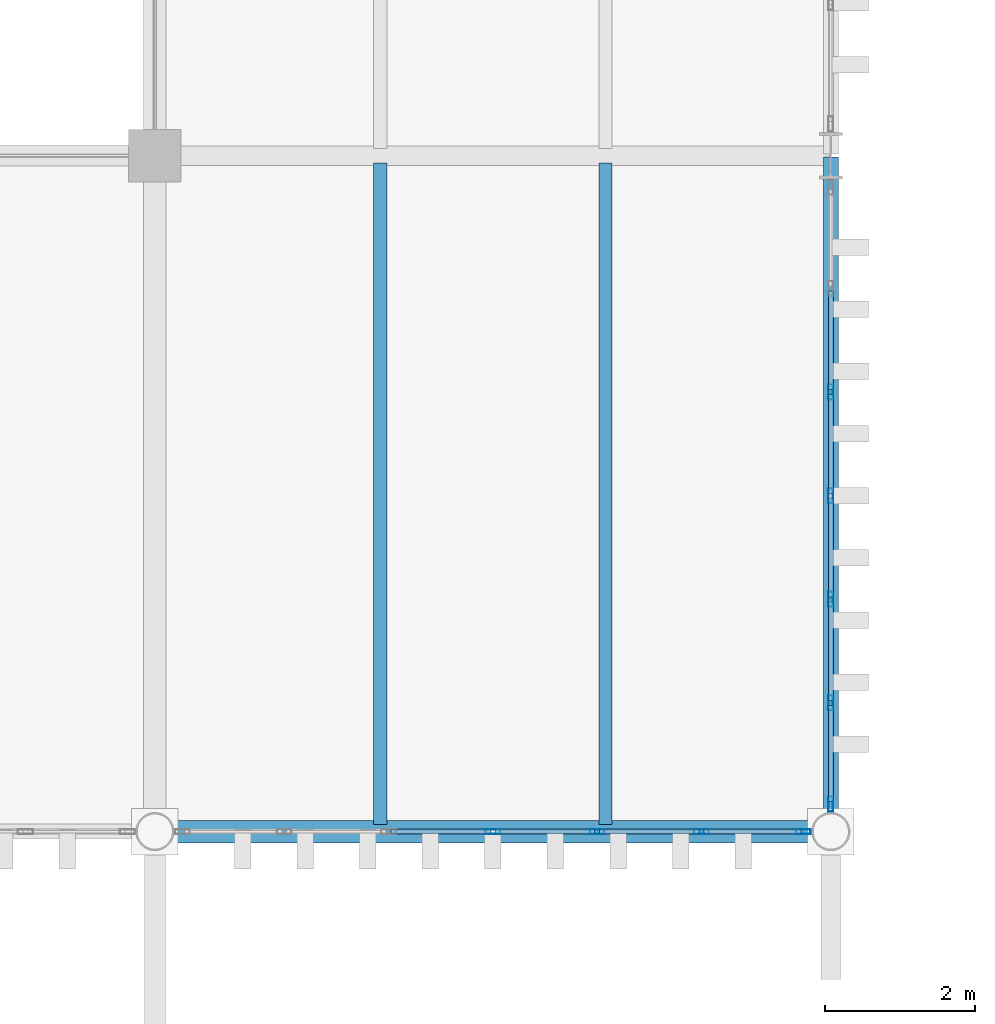
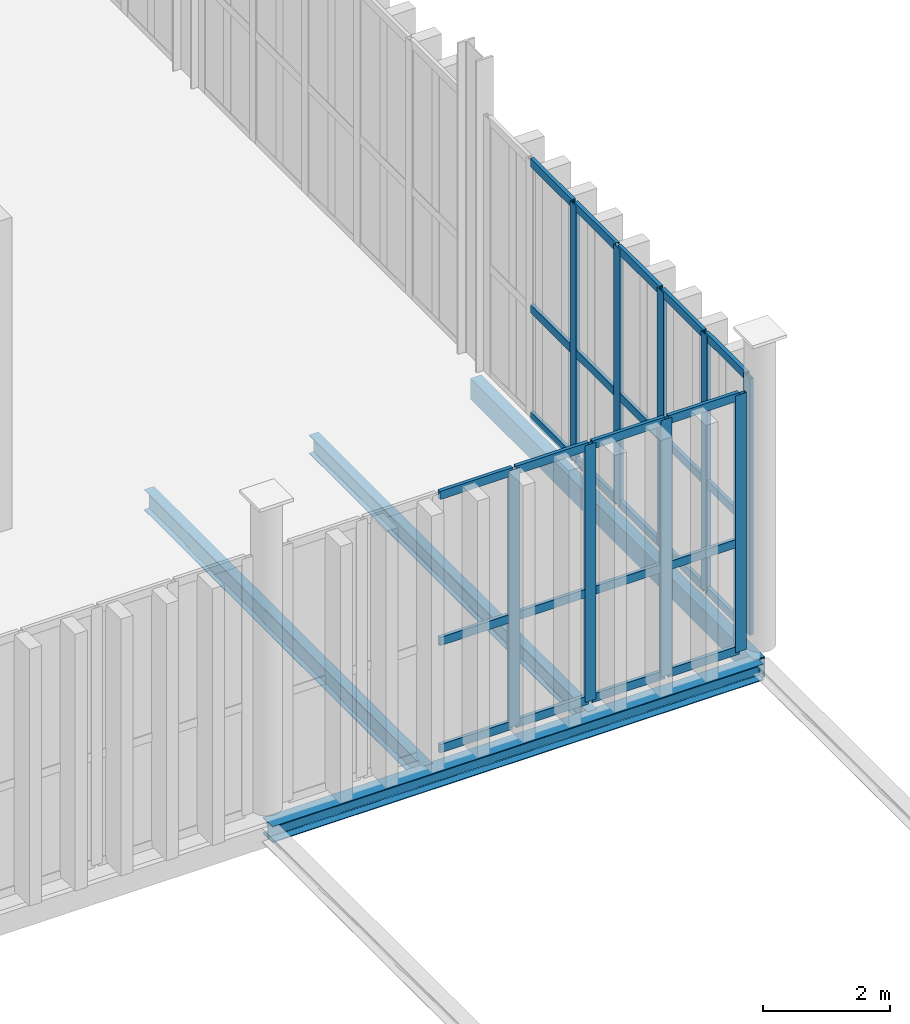
# One storey, part 41 of 211: 36 members, 4 beams, 2 elements without a shape of their own.
"""IFC4 building model written with IfcOpenShell, lengths in metres."""

from ifc_helpers import new_model, si_unit, direction, frame, origin, origin_2d, place, context, subcontext, project, spatial, hollow_rectangle, i_section, extrude, material, layer, layer_set, material_profile, profile_set, type_object, element, aggregate, save


model = new_model("IFC4")

# Units and contexts
model_context = context("Model", 3, precision=1e-05, world=origin(), true_north=direction((0.0, 1.0)))
body_context = subcontext(model_context, "Body", "Model", "MODEL_VIEW")
ifc_project = project(units=[si_unit("LENGTHUNIT", "METRE"), si_unit("AREAUNIT", "SQUARE_METRE"), si_unit("VOLUMEUNIT", "CUBIC_METRE"), si_unit("PLANEANGLEUNIT", "RADIAN"), si_unit("MASSUNIT", "GRAM", prefix="KILO")], contexts=[model_context])

# Site, building, storey
site_placement = place(None, origin())
site = spatial("IfcSite", under=ifc_project, at=site_placement, CompositionType="ELEMENT")
building_placement = place(site_placement, origin())
building = spatial("IfcBuilding", under=site, at=building_placement, Name="Barlavento Convention Centre", CompositionType="ELEMENT")
storey_placement = place(building_placement, frame((0.0, 0.0, 6.0)))
storey = spatial("IfcBuildingStorey", under=building, at=storey_placement, Name="L01", CompositionType="ELEMENT", Elevation=6.0)

# Curtain wall, members
ifc_material_1 = material(Name="Powder-coated aluminium and Low-E glass", Category="aluminium")
ifc_layer = layer(ifc_material_1, 0.18505859375)
ifc_layer_set = layer_set([ifc_layer], Name="ARC-CW-CONG-L01")
curtain_wall_type = type_object("IfcCurtainWallType", Name="ARC-CW-CONG-L01", PredefinedType="NOTDEFINED", material=ifc_layer_set)
curtain_wall_1_placement = place(storey_placement, origin())
curtain_wall_1 = element("IfcCurtainWall", 1, at=curtain_wall_1_placement, inside=storey, type_object=curtain_wall_type, Name="L01 unitised curtain wall CW01", PredefinedType="NOTDEFINED")
ifc_material_2 = material(Name="Powder-coated aluminium", Category="aluminium")
ifc_material_profile_1 = material_profile(ifc_material_2, hollow_rectangle(XDim=0.06494140625, YDim=0.199951171875, WallThickness=0.0048828125, at=origin_2d()), Name="AL-MULL 65x200x5")
ifc_profile_set_1 = profile_set([ifc_material_profile_1], Name="Powder-coated aluminium")
member_type_1 = type_object("IfcMemberType", Name="ARC-CWM-65X200", PredefinedType="MULLION", material=ifc_profile_set_1)
member_1_placement = place(storey_placement, frame((58.5, 9.0, 0.0), z_axis=(0.0, 0.0, 1.0), x_axis=(0.0, 1.0, 0.0)))
member_1 = element("IfcMember", 2, at=member_1_placement, type_object=member_type_1, Name="CW01 mullion 4", PredefinedType="MULLION", context=body_context, shape_type="SweptSolid", body=[
    extrude(hollow_rectangle(XDim=0.06494140625, YDim=0.199951171875, WallThickness=0.0048828125, at=origin_2d()), origin(), (0.0, 0.0, 1.0), 4.949951171875),
])
member_2_placement = place(storey_placement, frame((59.888671875, 9.0, 0.0), z_axis=(0.0, 0.0, 1.0), x_axis=(0.0, 1.0, 0.0)))
member_2 = element("IfcMember", 3, at=member_2_placement, type_object=member_type_1, Name="CW01 mullion 5", PredefinedType="MULLION", context=body_context, shape_type="SweptSolid", body=[
    extrude(hollow_rectangle(XDim=0.06494140625, YDim=0.199951171875, WallThickness=0.0048828125, at=origin_2d()), origin(), (0.0, 0.0, 1.0), 4.949951171875),
])
member_3_placement = place(storey_placement, frame((61.27734375, 9.0, 0.0), z_axis=(0.0, 0.0, 1.0), x_axis=(0.0, 1.0, 0.0)))
member_3 = element("IfcMember", 4, at=member_3_placement, type_object=member_type_1, Name="CW01 mullion 6", PredefinedType="MULLION", context=body_context, shape_type="SweptSolid", body=[
    extrude(hollow_rectangle(XDim=0.06494140625, YDim=0.199951171875, WallThickness=0.0048828125, at=origin_2d()), origin(), (0.0, 0.0, 1.0), 4.949951171875),
])
member_4_placement = place(storey_placement, frame((62.633544921875, 9.0, 0.0), z_axis=(0.0, 0.0, 1.0), x_axis=(0.0, 1.0, 0.0)))
member_4 = element("IfcMember", 5, at=member_4_placement, type_object=member_type_1, Name="CW01 mullion 7", PredefinedType="MULLION", context=body_context, shape_type="SweptSolid", body=[
    extrude(hollow_rectangle(XDim=0.06494140625, YDim=0.199951171875, WallThickness=0.0048828125, at=origin_2d()), origin(), (0.0, 0.0, 1.0), 4.949951171875),
])

curtain_wall_2_placement = place(storey_placement, origin())
curtain_wall_2 = element("IfcCurtainWall", 6, at=curtain_wall_2_placement, inside=storey, type_object=curtain_wall_type, Name="L01 unitised curtain wall CW01", PredefinedType="NOTDEFINED")
member_5_placement = place(storey_placement, frame((63.0, 9.366455078125, 0.0), z_axis=(0.0, 0.0, 1.0), x_axis=(-1.0, 0.0, 0.0)))
member_5 = element("IfcMember", 7, at=member_5_placement, type_object=member_type_1, Name="CW01 mullion 1", PredefinedType="MULLION", context=body_context, shape_type="SweptSolid", body=[
    extrude(hollow_rectangle(XDim=0.06494140625, YDim=0.199951171875, WallThickness=0.0048828125, at=origin_2d()), origin(), (0.0, 0.0, 1.0), 4.949951171875),
])
member_6_placement = place(storey_placement, frame((63.0, 10.71337890625, 0.0), z_axis=(0.0, 0.0, 1.0), x_axis=(-1.0, 0.0, 0.0)))
member_6 = element("IfcMember", 8, at=member_6_placement, type_object=member_type_1, Name="CW01 mullion 2", PredefinedType="MULLION", context=body_context, shape_type="SweptSolid", body=[
    extrude(hollow_rectangle(XDim=0.06494140625, YDim=0.199951171875, WallThickness=0.0048828125, at=origin_2d()), origin(), (0.0, 0.0, 1.0), 4.949951171875),
])
member_7_placement = place(storey_placement, frame((63.0, 12.0927734375, 0.0), z_axis=(0.0, 0.0, 1.0), x_axis=(-1.0, 0.0, 0.0)))
member_7 = element("IfcMember", 9, at=member_7_placement, type_object=member_type_1, Name="CW01 mullion 3", PredefinedType="MULLION", context=body_context, shape_type="SweptSolid", body=[
    extrude(hollow_rectangle(XDim=0.06494140625, YDim=0.199951171875, WallThickness=0.0048828125, at=origin_2d()), origin(), (0.0, 0.0, 1.0), 4.949951171875),
])
member_8_placement = place(storey_placement, frame((63.0, 13.471923828125, 0.0), z_axis=(0.0, 0.0, 1.0), x_axis=(-1.0, 0.0, 0.0)))
member_8 = element("IfcMember", 10, at=member_8_placement, type_object=member_type_1, Name="CW01 mullion 4", PredefinedType="MULLION", context=body_context, shape_type="SweptSolid", body=[
    extrude(hollow_rectangle(XDim=0.06494140625, YDim=0.199951171875, WallThickness=0.0048828125, at=origin_2d()), origin(), (0.0, 0.0, 1.0), 4.949951171875),
])
member_9_placement = place(storey_placement, frame((63.0, 14.851318359375, 0.0), z_axis=(0.0, 0.0, 1.0), x_axis=(-1.0, 0.0, 0.0)))
member_9 = element("IfcMember", 11, at=member_9_placement, type_object=member_type_1, Name="CW01 mullion 5", PredefinedType="MULLION", context=body_context, shape_type="SweptSolid", body=[
    extrude(hollow_rectangle(XDim=0.06494140625, YDim=0.199951171875, WallThickness=0.0048828125, at=origin_2d()), origin(), (0.0, 0.0, 1.0), 4.949951171875),
])

# Member
ifc_material_profile_2 = material_profile(ifc_material_2, hollow_rectangle(XDim=0.06494140625, YDim=0.159912109375, WallThickness=0.0048828125, at=origin_2d()), Name="AL-TRAN 65x160x5")
ifc_profile_set_2 = profile_set([ifc_material_profile_2], Name="Powder-coated aluminium")
member_type_2 = type_object("IfcMemberType", Name="ARC-CWT-65X160", PredefinedType="USERDEFINED", material=ifc_profile_set_2)
member_10_placement = place(storey_placement, frame((57.143798828125, 9.0, 0.032470703125), z_axis=(1.0, 0.0, 0.0), x_axis=(0.0, 1.0, 0.0)))
member_10 = element("IfcMember", 12, at=member_10_placement, type_object=member_type_2, Name="CW01 transom 3.1", ObjectType="TRANSOM", PredefinedType="USERDEFINED", context=body_context, shape_type="SweptSolid", body=[
    extrude(hollow_rectangle(XDim=0.06494140625, YDim=0.159912109375, WallThickness=0.0048828125, at=origin_2d()), origin(), (0.0, 0.0, 1.0), 1.32373046875),
])

member_11_placement = place(storey_placement, frame((57.143798828125, 9.0, 2.10009765625), z_axis=(1.0, 0.0, 0.0), x_axis=(0.0, 1.0, 0.0)))
member_11 = element("IfcMember", 13, at=member_11_placement, type_object=member_type_2, Name="CW01 transom 3.2", ObjectType="TRANSOM", PredefinedType="USERDEFINED", context=body_context, shape_type="SweptSolid", body=[
    extrude(hollow_rectangle(XDim=0.06494140625, YDim=0.159912109375, WallThickness=0.0048828125, at=origin_2d()), origin(), (0.0, 0.0, 1.0), 1.32373046875),
])

member_12_placement = place(storey_placement, frame((57.143798828125, 9.0, 4.91748046875), z_axis=(1.0, 0.0, 0.0), x_axis=(0.0, 1.0, 0.0)))
member_12 = element("IfcMember", 14, at=member_12_placement, type_object=member_type_2, Name="CW01 transom 3.3", ObjectType="TRANSOM", PredefinedType="USERDEFINED", context=body_context, shape_type="SweptSolid", body=[
    extrude(hollow_rectangle(XDim=0.06494140625, YDim=0.159912109375, WallThickness=0.0048828125, at=origin_2d()), origin(), (0.0, 0.0, 1.0), 1.32373046875),
])

member_13_placement = place(storey_placement, frame((58.532470703125, 9.0, 0.032470703125), z_axis=(1.0, 0.0, 0.0), x_axis=(0.0, 1.0, 0.0)))
member_13 = element("IfcMember", 15, at=member_13_placement, type_object=member_type_2, Name="CW01 transom 4.1", ObjectType="TRANSOM", PredefinedType="USERDEFINED", context=body_context, shape_type="SweptSolid", body=[
    extrude(hollow_rectangle(XDim=0.06494140625, YDim=0.159912109375, WallThickness=0.0048828125, at=origin_2d()), origin(), (0.0, 0.0, 1.0), 1.32373046875),
])

member_14_placement = place(storey_placement, frame((58.532470703125, 9.0, 2.10009765625), z_axis=(1.0, 0.0, 0.0), x_axis=(0.0, 1.0, 0.0)))
member_14 = element("IfcMember", 16, at=member_14_placement, type_object=member_type_2, Name="CW01 transom 4.2", ObjectType="TRANSOM", PredefinedType="USERDEFINED", context=body_context, shape_type="SweptSolid", body=[
    extrude(hollow_rectangle(XDim=0.06494140625, YDim=0.159912109375, WallThickness=0.0048828125, at=origin_2d()), origin(), (0.0, 0.0, 1.0), 1.32373046875),
])

member_15_placement = place(storey_placement, frame((58.532470703125, 9.0, 4.91748046875), z_axis=(1.0, 0.0, 0.0), x_axis=(0.0, 1.0, 0.0)))
member_15 = element("IfcMember", 17, at=member_15_placement, type_object=member_type_2, Name="CW01 transom 4.3", ObjectType="TRANSOM", PredefinedType="USERDEFINED", context=body_context, shape_type="SweptSolid", body=[
    extrude(hollow_rectangle(XDim=0.06494140625, YDim=0.159912109375, WallThickness=0.0048828125, at=origin_2d()), origin(), (0.0, 0.0, 1.0), 1.32373046875),
])

member_16_placement = place(storey_placement, frame((59.921142578125, 9.0, 0.032470703125), z_axis=(1.0, 0.0, 0.0), x_axis=(0.0, 1.0, 0.0)))
member_16 = element("IfcMember", 18, at=member_16_placement, type_object=member_type_2, Name="CW01 transom 5.1", ObjectType="TRANSOM", PredefinedType="USERDEFINED", context=body_context, shape_type="SweptSolid", body=[
    extrude(hollow_rectangle(XDim=0.06494140625, YDim=0.159912109375, WallThickness=0.0048828125, at=origin_2d()), origin(), (0.0, 0.0, 1.0), 1.32373046875),
])

member_17_placement = place(storey_placement, frame((59.921142578125, 9.0, 2.10009765625), z_axis=(1.0, 0.0, 0.0), x_axis=(0.0, 1.0, 0.0)))
member_17 = element("IfcMember", 19, at=member_17_placement, type_object=member_type_2, Name="CW01 transom 5.2", ObjectType="TRANSOM", PredefinedType="USERDEFINED", context=body_context, shape_type="SweptSolid", body=[
    extrude(hollow_rectangle(XDim=0.06494140625, YDim=0.159912109375, WallThickness=0.0048828125, at=origin_2d()), origin(), (0.0, 0.0, 1.0), 1.32373046875),
])

member_18_placement = place(storey_placement, frame((59.921142578125, 9.0, 4.91748046875), z_axis=(1.0, 0.0, 0.0), x_axis=(0.0, 1.0, 0.0)))
member_18 = element("IfcMember", 20, at=member_18_placement, type_object=member_type_2, Name="CW01 transom 5.3", ObjectType="TRANSOM", PredefinedType="USERDEFINED", context=body_context, shape_type="SweptSolid", body=[
    extrude(hollow_rectangle(XDim=0.06494140625, YDim=0.159912109375, WallThickness=0.0048828125, at=origin_2d()), origin(), (0.0, 0.0, 1.0), 1.32373046875),
])

member_19_placement = place(storey_placement, frame((61.309814453125, 9.0, 0.032470703125), z_axis=(1.0, 0.0, 0.0), x_axis=(0.0, 1.0, 0.0)))
member_19 = element("IfcMember", 21, at=member_19_placement, type_object=member_type_2, Name="CW01 transom 6.1", ObjectType="TRANSOM", PredefinedType="USERDEFINED", context=body_context, shape_type="SweptSolid", body=[
    extrude(hollow_rectangle(XDim=0.06494140625, YDim=0.159912109375, WallThickness=0.0048828125, at=origin_2d()), origin(), (0.0, 0.0, 1.0), 1.291259765625),
])

member_20_placement = place(storey_placement, frame((61.309814453125, 9.0, 2.10009765625), z_axis=(1.0, 0.0, 0.0), x_axis=(0.0, 1.0, 0.0)))
member_20 = element("IfcMember", 22, at=member_20_placement, type_object=member_type_2, Name="CW01 transom 6.2", ObjectType="TRANSOM", PredefinedType="USERDEFINED", context=body_context, shape_type="SweptSolid", body=[
    extrude(hollow_rectangle(XDim=0.06494140625, YDim=0.159912109375, WallThickness=0.0048828125, at=origin_2d()), origin(), (0.0, 0.0, 1.0), 1.291259765625),
])

member_21_placement = place(storey_placement, frame((61.309814453125, 9.0, 4.91748046875), z_axis=(1.0, 0.0, 0.0), x_axis=(0.0, 1.0, 0.0)))
member_21 = element("IfcMember", 23, at=member_21_placement, type_object=member_type_2, Name="CW01 transom 6.3", ObjectType="TRANSOM", PredefinedType="USERDEFINED", context=body_context, shape_type="SweptSolid", body=[
    extrude(hollow_rectangle(XDim=0.06494140625, YDim=0.159912109375, WallThickness=0.0048828125, at=origin_2d()), origin(), (0.0, 0.0, 1.0), 1.291259765625),
])

aggregate(curtain_wall_1, [member_1, member_2, member_3, member_4, member_10, member_11, member_12, member_13, member_14, member_15, member_16, member_17, member_18, member_19, member_20, member_21])

member_22_placement = place(storey_placement, frame((63.0, 9.39892578125, 0.032470703125), z_axis=(0.0, 1.0, 0.0), x_axis=(-1.0, 0.0, 0.0)))
member_22 = element("IfcMember", 24, at=member_22_placement, type_object=member_type_2, Name="CW01 transom 1.1", ObjectType="TRANSOM", PredefinedType="USERDEFINED", context=body_context, shape_type="SweptSolid", body=[
    extrude(hollow_rectangle(XDim=0.06494140625, YDim=0.159912109375, WallThickness=0.0048828125, at=origin_2d()), origin(), (0.0, 0.0, 1.0), 1.281982421875),
])

member_23_placement = place(storey_placement, frame((63.0, 9.39892578125, 2.10009765625), z_axis=(0.0, 1.0, 0.0), x_axis=(-1.0, 0.0, 0.0)))
member_23 = element("IfcMember", 25, at=member_23_placement, type_object=member_type_2, Name="CW01 transom 1.2", ObjectType="TRANSOM", PredefinedType="USERDEFINED", context=body_context, shape_type="SweptSolid", body=[
    extrude(hollow_rectangle(XDim=0.06494140625, YDim=0.159912109375, WallThickness=0.0048828125, at=origin_2d()), origin(), (0.0, 0.0, 1.0), 1.281982421875),
])

member_24_placement = place(storey_placement, frame((63.0, 9.39892578125, 4.91748046875), z_axis=(0.0, 1.0, 0.0), x_axis=(-1.0, 0.0, 0.0)))
member_24 = element("IfcMember", 26, at=member_24_placement, type_object=member_type_2, Name="CW01 transom 1.3", ObjectType="TRANSOM", PredefinedType="USERDEFINED", context=body_context, shape_type="SweptSolid", body=[
    extrude(hollow_rectangle(XDim=0.06494140625, YDim=0.159912109375, WallThickness=0.0048828125, at=origin_2d()), origin(), (0.0, 0.0, 1.0), 1.281982421875),
])

member_25_placement = place(storey_placement, frame((63.0, 10.745849609375, 0.032470703125), z_axis=(0.0, 1.0, 0.0), x_axis=(-1.0, 0.0, 0.0)))
member_25 = element("IfcMember", 27, at=member_25_placement, type_object=member_type_2, Name="CW01 transom 2.1", ObjectType="TRANSOM", PredefinedType="USERDEFINED", context=body_context, shape_type="SweptSolid", body=[
    extrude(hollow_rectangle(XDim=0.06494140625, YDim=0.159912109375, WallThickness=0.0048828125, at=origin_2d()), origin(), (0.0, 0.0, 1.0), 1.314208984375),
])

member_26_placement = place(storey_placement, frame((63.0, 10.745849609375, 2.10009765625), z_axis=(0.0, 1.0, 0.0), x_axis=(-1.0, 0.0, 0.0)))
member_26 = element("IfcMember", 28, at=member_26_placement, type_object=member_type_2, Name="CW01 transom 2.2", ObjectType="TRANSOM", PredefinedType="USERDEFINED", context=body_context, shape_type="SweptSolid", body=[
    extrude(hollow_rectangle(XDim=0.06494140625, YDim=0.159912109375, WallThickness=0.0048828125, at=origin_2d()), origin(), (0.0, 0.0, 1.0), 1.314208984375),
])

member_27_placement = place(storey_placement, frame((63.0, 10.745849609375, 4.91748046875), z_axis=(0.0, 1.0, 0.0), x_axis=(-1.0, 0.0, 0.0)))
member_27 = element("IfcMember", 29, at=member_27_placement, type_object=member_type_2, Name="CW01 transom 2.3", ObjectType="TRANSOM", PredefinedType="USERDEFINED", context=body_context, shape_type="SweptSolid", body=[
    extrude(hollow_rectangle(XDim=0.06494140625, YDim=0.159912109375, WallThickness=0.0048828125, at=origin_2d()), origin(), (0.0, 0.0, 1.0), 1.314208984375),
])

member_28_placement = place(storey_placement, frame((63.0, 12.125244140625, 0.032470703125), z_axis=(0.0, 1.0, 0.0), x_axis=(-1.0, 0.0, 0.0)))
member_28 = element("IfcMember", 30, at=member_28_placement, type_object=member_type_2, Name="CW01 transom 3.1", ObjectType="TRANSOM", PredefinedType="USERDEFINED", context=body_context, shape_type="SweptSolid", body=[
    extrude(hollow_rectangle(XDim=0.06494140625, YDim=0.159912109375, WallThickness=0.0048828125, at=origin_2d()), origin(), (0.0, 0.0, 1.0), 1.314208984375),
])

member_29_placement = place(storey_placement, frame((63.0, 12.125244140625, 2.10009765625), z_axis=(0.0, 1.0, 0.0), x_axis=(-1.0, 0.0, 0.0)))
member_29 = element("IfcMember", 31, at=member_29_placement, type_object=member_type_2, Name="CW01 transom 3.2", ObjectType="TRANSOM", PredefinedType="USERDEFINED", context=body_context, shape_type="SweptSolid", body=[
    extrude(hollow_rectangle(XDim=0.06494140625, YDim=0.159912109375, WallThickness=0.0048828125, at=origin_2d()), origin(), (0.0, 0.0, 1.0), 1.314208984375),
])

member_30_placement = place(storey_placement, frame((63.0, 12.125244140625, 4.91748046875), z_axis=(0.0, 1.0, 0.0), x_axis=(-1.0, 0.0, 0.0)))
member_30 = element("IfcMember", 32, at=member_30_placement, type_object=member_type_2, Name="CW01 transom 3.3", ObjectType="TRANSOM", PredefinedType="USERDEFINED", context=body_context, shape_type="SweptSolid", body=[
    extrude(hollow_rectangle(XDim=0.06494140625, YDim=0.159912109375, WallThickness=0.0048828125, at=origin_2d()), origin(), (0.0, 0.0, 1.0), 1.314208984375),
])

member_31_placement = place(storey_placement, frame((63.0, 13.50439453125, 0.032470703125), z_axis=(0.0, 1.0, 0.0), x_axis=(-1.0, 0.0, 0.0)))
member_31 = element("IfcMember", 33, at=member_31_placement, type_object=member_type_2, Name="CW01 transom 4.1", ObjectType="TRANSOM", PredefinedType="USERDEFINED", context=body_context, shape_type="SweptSolid", body=[
    extrude(hollow_rectangle(XDim=0.06494140625, YDim=0.159912109375, WallThickness=0.0048828125, at=origin_2d()), origin(), (0.0, 0.0, 1.0), 1.314453125),
])

member_32_placement = place(storey_placement, frame((63.0, 13.50439453125, 2.10009765625), z_axis=(0.0, 1.0, 0.0), x_axis=(-1.0, 0.0, 0.0)))
member_32 = element("IfcMember", 34, at=member_32_placement, type_object=member_type_2, Name="CW01 transom 4.2", ObjectType="TRANSOM", PredefinedType="USERDEFINED", context=body_context, shape_type="SweptSolid", body=[
    extrude(hollow_rectangle(XDim=0.06494140625, YDim=0.159912109375, WallThickness=0.0048828125, at=origin_2d()), origin(), (0.0, 0.0, 1.0), 1.314453125),
])

member_33_placement = place(storey_placement, frame((63.0, 13.50439453125, 4.91748046875), z_axis=(0.0, 1.0, 0.0), x_axis=(-1.0, 0.0, 0.0)))
member_33 = element("IfcMember", 35, at=member_33_placement, type_object=member_type_2, Name="CW01 transom 4.3", ObjectType="TRANSOM", PredefinedType="USERDEFINED", context=body_context, shape_type="SweptSolid", body=[
    extrude(hollow_rectangle(XDim=0.06494140625, YDim=0.159912109375, WallThickness=0.0048828125, at=origin_2d()), origin(), (0.0, 0.0, 1.0), 1.314453125),
])

member_34_placement = place(storey_placement, frame((63.0, 14.8837890625, 0.032470703125), z_axis=(0.0, 1.0, 0.0), x_axis=(-1.0, 0.0, 0.0)))
member_34 = element("IfcMember", 36, at=member_34_placement, type_object=member_type_2, Name="CW01 transom 5.1", ObjectType="TRANSOM", PredefinedType="USERDEFINED", context=body_context, shape_type="SweptSolid", body=[
    extrude(hollow_rectangle(XDim=0.06494140625, YDim=0.159912109375, WallThickness=0.0048828125, at=origin_2d()), origin(), (0.0, 0.0, 1.0), 1.314453125),
])

member_35_placement = place(storey_placement, frame((63.0, 14.8837890625, 2.10009765625), z_axis=(0.0, 1.0, 0.0), x_axis=(-1.0, 0.0, 0.0)))
member_35 = element("IfcMember", 37, at=member_35_placement, type_object=member_type_2, Name="CW01 transom 5.2", ObjectType="TRANSOM", PredefinedType="USERDEFINED", context=body_context, shape_type="SweptSolid", body=[
    extrude(hollow_rectangle(XDim=0.06494140625, YDim=0.159912109375, WallThickness=0.0048828125, at=origin_2d()), origin(), (0.0, 0.0, 1.0), 1.314453125),
])

member_36_placement = place(storey_placement, frame((63.0, 14.8837890625, 4.91748046875), z_axis=(0.0, 1.0, 0.0), x_axis=(-1.0, 0.0, 0.0)))
member_36 = element("IfcMember", 38, at=member_36_placement, type_object=member_type_2, Name="CW01 transom 5.3", ObjectType="TRANSOM", PredefinedType="USERDEFINED", context=body_context, shape_type="SweptSolid", body=[
    extrude(hollow_rectangle(XDim=0.06494140625, YDim=0.159912109375, WallThickness=0.0048828125, at=origin_2d()), origin(), (0.0, 0.0, 1.0), 1.314453125),
])

aggregate(curtain_wall_2, [member_5, member_6, member_7, member_8, member_9, member_22, member_23, member_24, member_25, member_26, member_27, member_28, member_29, member_30, member_31, member_32, member_33, member_34, member_35, member_36])

# Beams
ifc_material_3 = material(Name="Steel S355", Category="steel")
ifc_material_profile_3 = material_profile(ifc_material_3, i_section(OverallWidth=0.169921875, OverallDepth=0.360107421875, WebThickness=0.008056640625, FlangeThickness=0.0126953125, FilletRadius=0.01806640625, at=origin_2d()), Name="IPE 360")
ifc_profile_set_3 = profile_set([ifc_material_profile_3], Name="Steel S355")
beam_type_1 = type_object("IfcBeamType", Name="STR-BM-JST-IPE360", PredefinedType="JOIST", material=ifc_profile_set_3)
beam_1_placement = place(storey_placement, frame((60.0, 9.094970703125, -0.47998046875), z_axis=(0.0, 1.0, 0.0), x_axis=(-1.0, 0.0, 0.0)))
element("IfcBeam", 39, at=beam_1_placement, inside=storey, type_object=beam_type_1, Name="L01 composite floor joist SJ05", PredefinedType="JOIST", context=body_context, shape_type="SweptSolid", body=[
    extrude(i_section(OverallWidth=0.169921875, OverallDepth=0.360107421875, WebThickness=0.008056640625, FlangeThickness=0.0126953125, FilletRadius=0.01806640625, at=origin_2d()), origin(), (0.0, 0.0, 1.0), 8.81005859375),
])
ifc_material_profile_4 = material_profile(ifc_material_3, i_section(OverallWidth=0.179931640625, OverallDepth=0.39990234375, WebThickness=0.008544921875, FlangeThickness=0.013427734375, FilletRadius=0.02099609375, at=origin_2d()), Name="IPE 400")
ifc_profile_set_4 = profile_set([ifc_material_profile_4], Name="Steel S355")
beam_type_2 = type_object("IfcBeamType", Name="STR-BM-JST-IPE400", PredefinedType="JOIST", material=ifc_profile_set_4)
beam_2_placement = place(storey_placement, frame((57.0, 9.094970703125, -0.5), z_axis=(0.0, 1.0, 0.0), x_axis=(-1.0, 0.0, 0.0)))
element("IfcBeam", 40, at=beam_2_placement, inside=storey, type_object=beam_type_2, Name="L01 composite floor joist SJ04", PredefinedType="JOIST", context=body_context, shape_type="SweptSolid", body=[
    extrude(i_section(OverallWidth=0.179931640625, OverallDepth=0.39990234375, WebThickness=0.008544921875, FlangeThickness=0.013427734375, FilletRadius=0.02099609375, at=origin_2d()), origin(), (0.0, 0.0, 1.0), 8.81005859375),
])
ifc_material_profile_5 = material_profile(ifc_material_3, i_section(OverallWidth=0.300048828125, OverallDepth=0.31005859375, WebThickness=0.009033203125, FlangeThickness=0.015380859375, FilletRadius=0.027099609375, at=origin_2d()), Name="HEA 320")
ifc_profile_set_5 = profile_set([ifc_material_profile_5], Name="Steel S355")
beam_type_3 = type_object("IfcBeamType", Name="STR-BM-SPN-HEA320", PredefinedType="SPANDREL", material=ifc_profile_set_5)
beam_3_placement = place(storey_placement, frame((54.02001953125, 9.0, -0.455078125), z_axis=(1.0, 0.0, 0.0), x_axis=(0.0, 1.0, 0.0)))
element("IfcBeam", 41, at=beam_3_placement, inside=storey, type_object=beam_type_3, Name="L01 primary girder SP01", PredefinedType="SPANDREL", context=body_context, shape_type="SweptSolid", body=[
    extrude(i_section(OverallWidth=0.300048828125, OverallDepth=0.31005859375, WebThickness=0.009033203125, FlangeThickness=0.015380859375, FilletRadius=0.027099609375, at=origin_2d()), origin(), (0.0, 0.0, 1.0), 8.9599609375),
])
ifc_material_profile_6 = material_profile(ifc_material_3, hollow_rectangle(XDim=0.199951171875, YDim=0.39990234375, WallThickness=0.01611328125, at=origin_2d()), Name="RHS 400x200x16.0")
ifc_profile_set_6 = profile_set([ifc_material_profile_6], Name="Steel S355")
beam_type_4 = type_object("IfcBeamType", Name="STR-BM-SPN-RHS400", PredefinedType="SPANDREL", material=ifc_profile_set_6)
beam_4_placement = place(storey_placement, frame((63.0, 9.02001953125, -0.5), z_axis=(0.0, 1.0, 0.0), x_axis=(-1.0, 0.0, 0.0)))
element("IfcBeam", 42, at=beam_4_placement, inside=storey, type_object=beam_type_4, Name="L01 grid girder SP06", PredefinedType="SPANDREL", context=body_context, shape_type="SweptSolid", body=[
    extrude(hollow_rectangle(XDim=0.199951171875, YDim=0.39990234375, WallThickness=0.01611328125, at=origin_2d()), origin(), (0.0, 0.0, 1.0), 8.9599609375),
])

save(model, "model.ifc")
